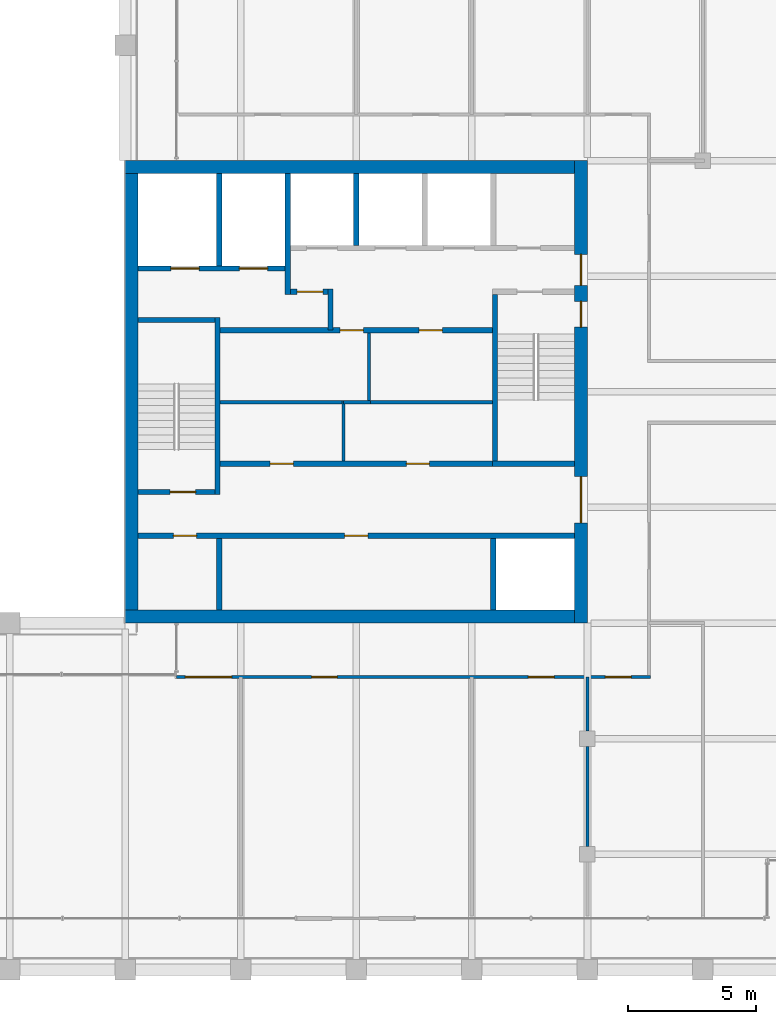
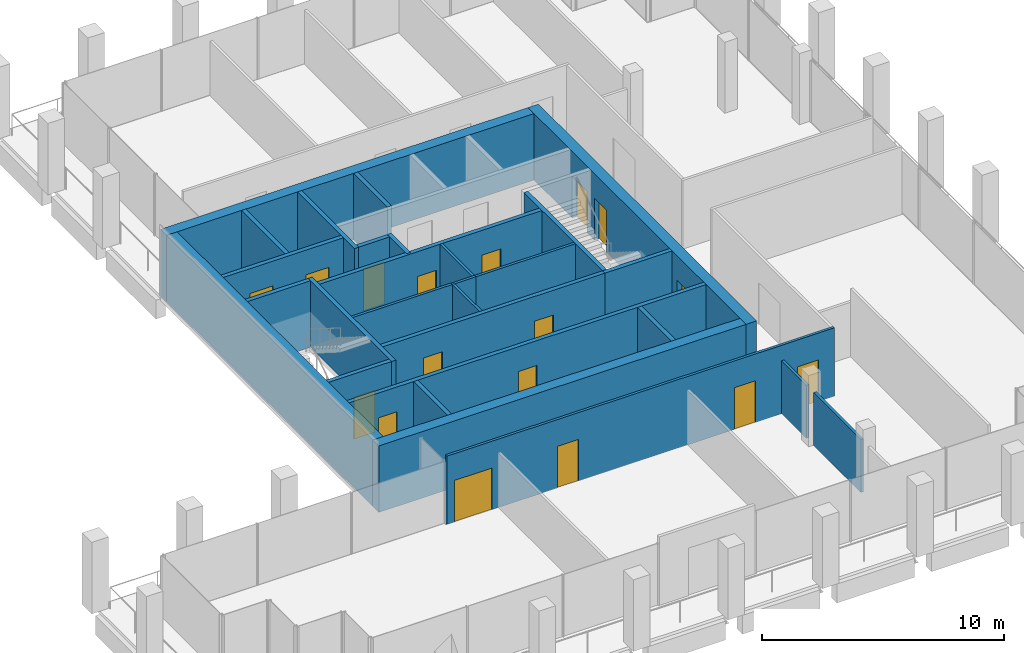
# One storey, part 28 of 30: 28 walls, 17 doors, 17 openings.
"""IFC4 building model written with IfcOpenShell, lengths in metres."""

from ifc_helpers import new_model, si_unit, direction, frame, frame_2d, origin, place, context, subcontext, project, spatial, rectangle, extrude, material, layer, layer_set, type_object, element, fill, save


model = new_model("IFC4")

# Units and contexts
model_context = context("Model", 3, precision=1e-05, world=origin(), true_north=direction((0.0, 1.0)))
body_context = subcontext(model_context, "Body", "Model", "MODEL_VIEW")
ifc_project = project(units=[si_unit("LENGTHUNIT", "METRE"), si_unit("AREAUNIT", "SQUARE_METRE"), si_unit("VOLUMEUNIT", "CUBIC_METRE"), si_unit("PLANEANGLEUNIT", "RADIAN"), si_unit("MASSUNIT", "GRAM", prefix="KILO")], contexts=[model_context])

# Site, building, storey
site_placement = place(None, origin())
site = spatial("IfcSite", under=ifc_project, at=site_placement, CompositionType="ELEMENT")
building_placement = place(site_placement, origin())
building = spatial("IfcBuilding", under=site, at=building_placement, Name="Altepetl Exchange Towers", CompositionType="ELEMENT")
storey_placement = place(building_placement, frame((0.0, 0.0, 220.800048828125)))
storey = spatial("IfcBuildingStorey", under=building, at=storey_placement, Name="L56", CompositionType="ELEMENT", Elevation=220.800048828125)

# Wall, openings, doors
ifc_material_1 = material(Name="Concrete C70/85", Category="concrete")
ifc_layer_1 = layer(ifc_material_1, 0.5)
ifc_layer_set_1 = layer_set([ifc_layer_1], Name="Concrete C70/85")
wall_type_1 = type_object("IfcWallType", Name="Core wall 500 reinforced concrete", PredefinedType="SHEAR", material=ifc_layer_set_1)
wall_1_placement = place(storey_placement, frame((58.25, 40.5, 0.0), z_axis=(0.0, 0.0, 1.0), x_axis=(0.0, 1.0, 0.0)))
wall_1 = element("IfcWall", 1, at=wall_1_placement, inside=storey, type_object=wall_type_1, Name="wall:A:L56:K-coreE", PredefinedType="SHEAR", context=body_context, shape_type="SweptSolid", body=[
    extrude(rectangle(XDim=18.0, YDim=0.5, at=frame_2d((9.0, 0.0))), origin(), (0.0, 0.0, 1.0), 3.349853515625),
])
opening_1_placement = place(wall_1_placement, frame((13.14990234375, 0.0, 0.0)))
opening_1 = element("IfcOpeningElement", 2, at=opening_1_placement, cuts=wall_1, Name="Opening L56.A60", PredefinedType="OPENING", context=body_context, shape_type="SweptSolid", body=[
    extrude(rectangle(XDim=1.199951171875, YDim=2.10009765625, at=frame_2d((0.60009765625, 1.050048828125))), frame((0.0, 0.260009765625, 0.0), z_axis=(0.0, -1.0, 0.0), x_axis=(1.0, 0.0, 0.0)), (0.0, 0.0, 1.0), 0.52001953125),
])
opening_2_placement = place(wall_1_placement, frame((3.89990234375, 0.0, 0.0)))
opening_2 = element("IfcOpeningElement", 3, at=opening_2_placement, cuts=wall_1, Name="Opening L56.A61", PredefinedType="OPENING", context=body_context, shape_type="SweptSolid", body=[
    extrude(rectangle(XDim=1.800048828125, YDim=2.10009765625, at=frame_2d((0.89990234375, 1.050048828125))), frame((0.0, 0.260009765625, 0.0), z_axis=(0.0, -1.0, 0.0), x_axis=(1.0, 0.0, 0.0)), (0.0, 0.0, 1.0), 0.52001953125),
])
opening_3_placement = place(wall_1_placement, frame((11.52490234375, 0.0, 0.0)))
opening_3 = element("IfcOpeningElement", 4, at=opening_3_placement, cuts=wall_1, Name="Opening L56.A64", PredefinedType="OPENING", context=body_context, shape_type="SweptSolid", body=[
    extrude(rectangle(XDim=1.0, YDim=2.10009765625, at=frame_2d((0.5, 1.050048828125))), frame((0.0, 0.260009765625, 0.0), z_axis=(0.0, -1.0, 0.0), x_axis=(1.0, 0.0, 0.0)), (0.0, 0.0, 1.0), 0.52001953125),
])
ifc_material_2 = material(Name="Steel and timber fire door", Category="steel")
door_type_1 = type_object("IfcDoorType", Name="Fire door 1000 x 2100 stair and lobby", OperationType="SINGLE_SWING_LEFT", PredefinedType="DOOR", material=ifc_material_2)
door_1_placement = place(opening_3_placement, origin())
door_1 = element("IfcDoor", 5, at=door_1_placement, inside=storey, type_object=door_type_1, Name="door:A:L56:K-dS2x", OperationType="SINGLE_SWING_RIGHT", OverallHeight=2.10009765625, OverallWidth=1.0, PredefinedType="DOOR", context=body_context, shape_type="SweptSolid", body=[
    extrude(rectangle(XDim=1.0, YDim=2.10009765625, at=frame_2d((0.5, 1.050048828125))), frame((0.0, 0.02490234375, 0.0), z_axis=(0.0, -1.0, 0.0), x_axis=(1.0, 0.0, 0.0)), (0.0, 0.0, 1.0), 0.050048828125),
])
fill(opening_3, door_1)
door_type_2 = type_object("IfcDoorType", Name="Fire door 1200 x 2100 lobby entry", OperationType="SINGLE_SWING_LEFT", PredefinedType="DOOR", material=ifc_material_2)
door_2_placement = place(opening_1_placement, origin())
door_2 = element("IfcDoor", 6, at=door_2_placement, inside=storey, type_object=door_type_2, Name="door:A:L56:K-dLNE", OperationType="SINGLE_SWING_RIGHT", OverallHeight=2.10009765625, OverallWidth=1.199951171875, PredefinedType="DOOR", context=body_context, shape_type="SweptSolid", body=[
    extrude(rectangle(XDim=1.199951171875, YDim=2.10009765625, at=frame_2d((0.60009765625, 1.050048828125))), frame((0.0, 0.02490234375, 0.0), z_axis=(0.0, -1.0, 0.0), x_axis=(1.0, 0.0, 0.0)), (0.0, 0.0, 1.0), 0.050048828125),
])
fill(opening_1, door_2)
door_type_3 = type_object("IfcDoorType", Name="Fire door 1800 x 2100 lobby entry", OperationType="DOUBLE_DOOR_SINGLE_SWING", PredefinedType="DOOR", material=ifc_material_2)
door_3_placement = place(opening_2_placement, origin())
door_3 = element("IfcDoor", 7, at=door_3_placement, inside=storey, type_object=door_type_3, Name="door:A:L56:K-dLSE", OperationType="DOUBLE_DOOR_SINGLE_SWING", OverallHeight=2.10009765625, OverallWidth=1.800048828125, PredefinedType="DOOR", context=body_context, shape_type="SweptSolid", body=[
    extrude(rectangle(XDim=1.800048828125, YDim=2.10009765625, at=frame_2d((0.89990234375, 1.050048828125))), frame((0.0, 0.02490234375, 0.0), z_axis=(0.0, -1.0, 0.0), x_axis=(1.0, 0.0, 0.0)), (0.0, 0.0, 1.0), 0.050048828125),
])
fill(opening_2, door_3)

# Walls
for number, where, name in (
    (8, (40.5, 58.25, 0.0), "wall:A:L56:K-coreN"),
    (9, (40.5, 40.75, 0.0), "wall:A:L56:K-coreS"),
):
    element("IfcWall", number, at=place(storey_placement, frame(where)), inside=storey, type_object=wall_type_1, Name=name, PredefinedType="SHEAR", context=body_context, shape_type="SweptSolid", body=[
        extrude(rectangle(XDim=17.5, YDim=0.5, at=frame_2d((8.75, 0.0))), origin(), (0.0, 0.0, 1.0), 3.349853515625),
    ])
ifc_layer_2 = layer(ifc_material_1, 0.5)
ifc_layer_set_2 = layer_set([ifc_layer_2], Name="Concrete C70/85")
wall_type_2 = type_object("IfcWallType", Name="Core wall 500 reinforced concrete external", PredefinedType="SHEAR", material=ifc_layer_set_2)
wall_2_placement = place(storey_placement, frame((40.75, 41.0, 0.0), z_axis=(0.0, 0.0, 1.0), x_axis=(0.0, 1.0, 0.0)))
element("IfcWall", 10, at=wall_2_placement, inside=storey, type_object=wall_type_2, Name="wall:A:L56:K-coreW", PredefinedType="SHEAR", context=body_context, shape_type="SweptSolid", body=[
    extrude(rectangle(XDim=17.0, YDim=0.5, at=frame_2d((8.5, 0.0))), origin(), (0.0, 0.0, 1.0), 3.349853515625),
])
ifc_material_3 = material(Name="Concrete blockwork", Category="masonry")
ifc_layer_3 = layer(ifc_material_3, 0.199951171875)
ifc_layer_set_3 = layer_set([ifc_layer_3], Name="Concrete blockwork")
wall_type_3 = type_object("IfcWallType", Name="Lobby wall 200 blockwork", PredefinedType="PARTITIONING", material=ifc_layer_set_3)
wall_3_placement = place(storey_placement, frame((48.5, 51.89990234375, 0.0), z_axis=(0.0, 0.0, 1.0), x_axis=(0.0, 1.0, 0.0)))
element("IfcWall", 11, at=wall_3_placement, inside=storey, type_object=wall_type_3, Name="wall:A:L56:K-ffE", PredefinedType="PARTITIONING", context=body_context, shape_type="SweptSolid", body=[
    extrude(rectangle(XDim=1.60009765625, YDim=0.199951171875, at=frame_2d((0.800048828125, 0.0))), origin(), (0.0, 0.0, 1.0), 3.349853515625),
])

# Wall, opening, door
wall_4_placement = place(storey_placement, frame((46.933349609375, 53.39990234375, 0.0)))
wall_4 = element("IfcWall", 12, at=wall_4_placement, inside=storey, type_object=wall_type_3, Name="wall:A:L56:K-ffN", PredefinedType="PARTITIONING", context=body_context, shape_type="SweptSolid", body=[
    extrude(rectangle(XDim=1.466552734375, YDim=0.199951171875, at=frame_2d((0.7333984375, 0.0))), origin(), (0.0, 0.0, 1.0), 3.349853515625),
])
opening_4_placement = place(wall_4_placement, frame((0.2666015625, 0.0, 0.0)))
opening_4 = element("IfcOpeningElement", 13, at=opening_4_placement, cuts=wall_4, Name="Opening L56.A65", PredefinedType="OPENING", context=body_context, shape_type="SweptSolid", body=[
    extrude(rectangle(XDim=1.0, YDim=2.10009765625, at=frame_2d((0.5, 1.050048828125))), frame((0.0, 0.10986328125, 0.0), z_axis=(0.0, -1.0, 0.0), x_axis=(1.0, 0.0, 0.0)), (0.0, 0.0, 1.0), 0.219970703125),
])
door_4_placement = place(opening_4_placement, frame((1.0, 0.0, 0.0), x_axis=(-1.0, 0.0, 0.0)))
door_4 = element("IfcDoor", 14, at=door_4_placement, inside=storey, type_object=door_type_1, Name="door:A:L56:K-dffN", OperationType="SINGLE_SWING_RIGHT", OverallHeight=2.10009765625, OverallWidth=1.0, PredefinedType="DOOR", context=body_context, shape_type="SweptSolid", body=[
    extrude(rectangle(XDim=1.0, YDim=2.10009765625, at=frame_2d((0.5, 1.050048828125))), frame((0.0, 0.02490234375, 0.0), z_axis=(0.0, -1.0, 0.0), x_axis=(1.0, 0.0, 0.0)), (0.0, 0.0, 1.0), 0.050048828125),
])
fill(opening_4, door_4)

# Wall, openings, doors
wall_5_placement = place(storey_placement, frame((44.199951171875, 51.89990234375, 0.0)))
wall_5 = element("IfcWall", 15, at=wall_5_placement, inside=storey, type_object=wall_type_3, Name="wall:A:L56:K-zoneN", PredefinedType="PARTITIONING", context=body_context, shape_type="SweptSolid", body=[
    extrude(rectangle(XDim=10.60009765625, YDim=0.199951171875, at=frame_2d((5.300048828125, 0.0))), origin(), (0.0, 0.0, 1.0), 3.349853515625),
])
opening_5_placement = place(wall_5_placement, frame((4.675048828125, 0.0, 0.0)))
opening_5 = element("IfcOpeningElement", 16, at=opening_5_placement, cuts=wall_5, Name="Opening L56.A71", PredefinedType="OPENING", context=body_context, shape_type="SweptSolid", body=[
    extrude(rectangle(XDim=0.89990234375, YDim=2.10009765625, at=frame_2d((0.449951171875, 1.050048828125))), frame((0.0, 0.10986328125, 0.0), z_axis=(0.0, -1.0, 0.0), x_axis=(1.0, 0.0, 0.0)), (0.0, 0.0, 1.0), 0.219970703125),
])
opening_6_placement = place(wall_5_placement, frame((7.75, 0.0, 0.0)))
opening_6 = element("IfcOpeningElement", 17, at=opening_6_placement, cuts=wall_5, Name="Opening L56.A72", PredefinedType="OPENING", context=body_context, shape_type="SweptSolid", body=[
    extrude(rectangle(XDim=0.89990234375, YDim=2.10009765625, at=frame_2d((0.449951171875, 1.050048828125))), frame((0.0, 0.10986328125, 0.0), z_axis=(0.0, -1.0, 0.0), x_axis=(1.0, 0.0, 0.0)), (0.0, 0.0, 1.0), 0.219970703125),
])
door_type_4 = type_object("IfcDoorType", Name="Fire door 900 x 2100 service room", OperationType="SINGLE_SWING_LEFT", PredefinedType="DOOR", material=ifc_material_2)
door_5_placement = place(opening_5_placement, frame((0.89990234375, 0.0, 0.0), x_axis=(-1.0, 0.0, 0.0)))
door_5 = element("IfcDoor", 18, at=door_5_placement, inside=storey, type_object=door_type_4, Name="door:A:L56:K-dz3", OperationType="SINGLE_SWING_LEFT", OverallHeight=2.10009765625, OverallWidth=0.89990234375, PredefinedType="DOOR", context=body_context, shape_type="SweptSolid", body=[
    extrude(rectangle(XDim=0.89990234375, YDim=2.10009765625, at=frame_2d((0.449951171875, 1.050048828125))), frame((0.0, 0.02490234375, 0.0), z_axis=(0.0, -1.0, 0.0), x_axis=(1.0, 0.0, 0.0)), (0.0, 0.0, 1.0), 0.050048828125),
])
fill(opening_5, door_5)
door_6_placement = place(opening_6_placement, frame((0.89990234375, 0.0, 0.0), x_axis=(-1.0, 0.0, 0.0)))
door_6 = element("IfcDoor", 19, at=door_6_placement, inside=storey, type_object=door_type_4, Name="door:A:L56:K-dz4", OperationType="SINGLE_SWING_LEFT", OverallHeight=2.10009765625, OverallWidth=0.89990234375, PredefinedType="DOOR", context=body_context, shape_type="SweptSolid", body=[
    extrude(rectangle(XDim=0.89990234375, YDim=2.10009765625, at=frame_2d((0.449951171875, 1.050048828125))), frame((0.0, 0.02490234375, 0.0), z_axis=(0.0, -1.0, 0.0), x_axis=(1.0, 0.0, 0.0)), (0.0, 0.0, 1.0), 0.050048828125),
])
fill(opening_6, door_6)

wall_6_placement = place(storey_placement, frame((44.199951171875, 46.699951171875, 0.0)))
wall_6 = element("IfcWall", 20, at=wall_6_placement, inside=storey, type_object=wall_type_3, Name="wall:A:L56:K-zoneS", PredefinedType="PARTITIONING", context=body_context, shape_type="SweptSolid", body=[
    extrude(rectangle(XDim=10.60009765625, YDim=0.199951171875, at=frame_2d((5.300048828125, 0.0))), origin(), (0.0, 0.0, 1.0), 3.349853515625),
])
opening_7_placement = place(wall_6_placement, frame((1.949951171875, 0.0, 0.0)))
opening_7 = element("IfcOpeningElement", 21, at=opening_7_placement, cuts=wall_6, Name="Opening L56.A69", PredefinedType="OPENING", context=body_context, shape_type="SweptSolid", body=[
    extrude(rectangle(XDim=0.89990234375, YDim=2.10009765625, at=frame_2d((0.449951171875, 1.050048828125))), frame((0.0, 0.10986328125, 0.0), z_axis=(0.0, -1.0, 0.0), x_axis=(1.0, 0.0, 0.0)), (0.0, 0.0, 1.0), 0.219970703125),
])
opening_8_placement = place(wall_6_placement, frame((7.25, 0.0, 0.0)))
opening_8 = element("IfcOpeningElement", 22, at=opening_8_placement, cuts=wall_6, Name="Opening L56.A70", PredefinedType="OPENING", context=body_context, shape_type="SweptSolid", body=[
    extrude(rectangle(XDim=0.89990234375, YDim=2.10009765625, at=frame_2d((0.449951171875, 1.050048828125))), frame((0.0, 0.10986328125, 0.0), z_axis=(0.0, -1.0, 0.0), x_axis=(1.0, 0.0, 0.0)), (0.0, 0.0, 1.0), 0.219970703125),
])
door_7_placement = place(opening_7_placement, origin())
door_7 = element("IfcDoor", 23, at=door_7_placement, inside=storey, type_object=door_type_4, Name="door:A:L56:K-dz1", OperationType="SINGLE_SWING_LEFT", OverallHeight=2.10009765625, OverallWidth=0.89990234375, PredefinedType="DOOR", context=body_context, shape_type="SweptSolid", body=[
    extrude(rectangle(XDim=0.89990234375, YDim=2.10009765625, at=frame_2d((0.449951171875, 1.050048828125))), frame((0.0, 0.02490234375, 0.0), z_axis=(0.0, -1.0, 0.0), x_axis=(1.0, 0.0, 0.0)), (0.0, 0.0, 1.0), 0.050048828125),
])
fill(opening_7, door_7)
door_8_placement = place(opening_8_placement, origin())
door_8 = element("IfcDoor", 24, at=door_8_placement, inside=storey, type_object=door_type_4, Name="door:A:L56:K-dz2", OperationType="SINGLE_SWING_LEFT", OverallHeight=2.10009765625, OverallWidth=0.89990234375, PredefinedType="DOOR", context=body_context, shape_type="SweptSolid", body=[
    extrude(rectangle(XDim=0.89990234375, YDim=2.10009765625, at=frame_2d((0.449951171875, 1.050048828125))), frame((0.0, 0.02490234375, 0.0), z_axis=(0.0, -1.0, 0.0), x_axis=(1.0, 0.0, 0.0)), (0.0, 0.0, 1.0), 0.050048828125),
])
fill(opening_8, door_8)

# Walls
ifc_material_4 = material(Name="Gypsum board on steel studs", Category="steel")
ifc_layer_4 = layer(ifc_material_4, 0.125)
ifc_layer_set_4 = layer_set([ifc_layer_4], Name="Gypsum board on steel studs")
wall_type_4 = type_object("IfcWallType", Name="Partition 125 gypsum board on steel studs", PredefinedType="PARTITIONING", material=ifc_layer_set_4)
wall_7_placement = place(storey_placement, frame((49.0, 46.800048828125, 0.0), z_axis=(0.0, 0.0, 1.0), x_axis=(0.0, 1.0, 0.0)))
element("IfcWall", 25, at=wall_7_placement, inside=storey, type_object=wall_type_4, Name="wall:A:L56:K-zp1", PredefinedType="PARTITIONING", context=body_context, shape_type="SweptSolid", body=[
    extrude(rectangle(XDim=2.362548828125, YDim=0.125, at=frame_2d((1.18115234375, 0.0))), origin(), (0.0, 0.0, 1.0), 3.349853515625),
])
wall_8_placement = place(storey_placement, frame((48.9375, 49.10009765625, 0.0), z_axis=(0.0, 0.0, 1.0), x_axis=(-1.0, 0.0, 0.0)))
element("IfcWall", 26, at=wall_8_placement, inside=storey, type_object=wall_type_4, Name="wall:A:L56:K-zp2", PredefinedType="PARTITIONING", context=body_context, shape_type="SweptSolid", body=[
    extrude(rectangle(XDim=4.737548828125, YDim=0.125, at=frame_2d((2.36865234375, 0.0))), origin(), (0.0, 0.0, 1.0), 3.349853515625),
])
wall_9_placement = place(storey_placement, frame((50.0625, 49.10009765625, 0.0), z_axis=(0.0, 0.0, 1.0), x_axis=(-1.0, 0.0, 0.0)))
element("IfcWall", 27, at=wall_9_placement, inside=storey, type_object=wall_type_4, Name="wall:A:L56:K-zp3", PredefinedType="PARTITIONING", context=body_context, shape_type="SweptSolid", body=[
    extrude(rectangle(XDim=1.0625, YDim=0.125, at=frame_2d((0.53125, 0.0))), origin(), (0.0, 0.0, 1.0), 3.349853515625),
])
wall_10_placement = place(storey_placement, frame((54.800048828125, 49.10009765625, 0.0), z_axis=(0.0, 0.0, 1.0), x_axis=(-1.0, 0.0, 0.0)))
element("IfcWall", 28, at=wall_10_placement, inside=storey, type_object=wall_type_4, Name="wall:A:L56:K-zp4", PredefinedType="PARTITIONING", context=body_context, shape_type="SweptSolid", body=[
    extrude(rectangle(XDim=4.800048828125, YDim=0.125, at=frame_2d((2.39990234375, 0.0))), origin(), (0.0, 0.0, 1.0), 3.349853515625),
])
wall_11_placement = place(storey_placement, frame((50.0, 49.16259765625, 0.0), z_axis=(0.0, 0.0, 1.0), x_axis=(0.0, 1.0, 0.0)))
element("IfcWall", 29, at=wall_11_placement, inside=storey, type_object=wall_type_4, Name="wall:A:L56:K-zp5", PredefinedType="PARTITIONING", context=body_context, shape_type="SweptSolid", body=[
    extrude(rectangle(XDim=2.637451171875, YDim=0.125, at=frame_2d((1.31884765625, 0.0))), origin(), (0.0, 0.0, 1.0), 3.349853515625),
])

# Wall, openings, doors
wall_12_placement = place(storey_placement, frame((42.5, 38.39990234375, 0.0)))
wall_12 = element("IfcWall", 30, at=wall_12_placement, inside=storey, type_object=wall_type_4, Name="wall:A:L56:P01", PredefinedType="PARTITIONING", context=body_context, shape_type="SweptSolid", body=[
    extrude(rectangle(XDim=18.46240234375, YDim=0.125, at=frame_2d((9.231201171875, 0.0))), origin(), (0.0, 0.0, 1.0), 3.449951171875),
])
opening_9_placement = place(wall_12_placement, frame((0.35009765625, 0.0, 0.0)))
opening_9 = element("IfcOpeningElement", 31, at=opening_9_placement, cuts=wall_12, Name="Opening L56.A01", PredefinedType="OPENING", context=body_context, shape_type="SweptSolid", body=[
    extrude(rectangle(XDim=1.800048828125, YDim=2.10009765625, at=frame_2d((0.89990234375, 1.050048828125))), frame((0.0, 0.072509765625, 0.0), z_axis=(0.0, -1.0, 0.0), x_axis=(1.0, 0.0, 0.0)), (0.0, 0.0, 1.0), 0.14501953125),
])
opening_10_placement = place(wall_12_placement, frame((5.258056640625, 0.0, 0.0)))
opening_10 = element("IfcOpeningElement", 32, at=opening_10_placement, cuts=wall_12, Name="Opening L56.A02", PredefinedType="OPENING", context=body_context, shape_type="SweptSolid", body=[
    extrude(rectangle(XDim=1.0, YDim=2.10009765625, at=frame_2d((0.5, 1.050048828125))), frame((0.0, 0.072509765625, 0.0), z_axis=(0.0, -1.0, 0.0), x_axis=(1.0, 0.0, 0.0)), (0.0, 0.0, 1.0), 0.14501953125),
])
opening_11_placement = place(wall_12_placement, frame((13.705078125, 0.0, 0.0)))
opening_11 = element("IfcOpeningElement", 33, at=opening_11_placement, cuts=wall_12, Name="Opening L56.A03", PredefinedType="OPENING", context=body_context, shape_type="SweptSolid", body=[
    extrude(rectangle(XDim=1.0, YDim=2.10009765625, at=frame_2d((0.5, 1.050048828125))), frame((0.0, 0.072509765625, 0.0), z_axis=(0.0, -1.0, 0.0), x_axis=(1.0, 0.0, 0.0)), (0.0, 0.0, 1.0), 0.14501953125),
])
opening_12_placement = place(wall_12_placement, frame((16.699951171875, 0.0, 0.0)))
opening_12 = element("IfcOpeningElement", 34, at=opening_12_placement, cuts=wall_12, Name="Opening L56.A04", PredefinedType="OPENING", context=body_context, shape_type="SweptSolid", body=[
    extrude(rectangle(XDim=1.0, YDim=2.10009765625, at=frame_2d((0.5, 1.050048828125))), frame((0.0, 0.072509765625, 0.0), z_axis=(0.0, -1.0, 0.0), x_axis=(1.0, 0.0, 0.0)), (0.0, 0.0, 1.0), 0.14501953125),
])
door_type_5 = type_object("IfcDoorType", Name="Fire door 1000 x 2100 single leaf", OperationType="SINGLE_SWING_LEFT", PredefinedType="DOOR", material=ifc_material_2)
door_9_placement = place(opening_10_placement, frame((1.0, 0.0, 0.0), x_axis=(-1.0, 0.0, 0.0)))
door_9 = element("IfcDoor", 35, at=door_9_placement, inside=storey, type_object=door_type_5, Name="door:A:L56:02", OperationType="SINGLE_SWING_RIGHT", OverallHeight=2.10009765625, OverallWidth=1.0, PredefinedType="DOOR", context=body_context, shape_type="SweptSolid", body=[
    extrude(rectangle(XDim=1.0, YDim=2.10009765625, at=frame_2d((0.5, 1.050048828125))), frame((0.0, 0.02490234375, 0.0), z_axis=(0.0, -1.0, 0.0), x_axis=(1.0, 0.0, 0.0)), (0.0, 0.0, 1.0), 0.050048828125),
])
fill(opening_10, door_9)
door_10_placement = place(opening_11_placement, frame((1.0, 0.0, 0.0), x_axis=(-1.0, 0.0, 0.0)))
door_10 = element("IfcDoor", 36, at=door_10_placement, inside=storey, type_object=door_type_5, Name="door:A:L56:03", OperationType="SINGLE_SWING_LEFT", OverallHeight=2.10009765625, OverallWidth=1.0, PredefinedType="DOOR", context=body_context, shape_type="SweptSolid", body=[
    extrude(rectangle(XDim=1.0, YDim=2.10009765625, at=frame_2d((0.5, 1.050048828125))), frame((0.0, 0.02490234375, 0.0), z_axis=(0.0, -1.0, 0.0), x_axis=(1.0, 0.0, 0.0)), (0.0, 0.0, 1.0), 0.050048828125),
])
fill(opening_11, door_10)
door_11_placement = place(opening_12_placement, frame((1.0, 0.0, 0.0), x_axis=(-1.0, 0.0, 0.0)))
door_11 = element("IfcDoor", 37, at=door_11_placement, inside=storey, type_object=door_type_5, Name="door:A:L56:04", OperationType="SINGLE_SWING_LEFT", OverallHeight=2.10009765625, OverallWidth=1.0, PredefinedType="DOOR", context=body_context, shape_type="SweptSolid", body=[
    extrude(rectangle(XDim=1.0, YDim=2.10009765625, at=frame_2d((0.5, 1.050048828125))), frame((0.0, 0.02490234375, 0.0), z_axis=(0.0, -1.0, 0.0), x_axis=(1.0, 0.0, 0.0)), (0.0, 0.0, 1.0), 0.050048828125),
])
fill(opening_12, door_11)
door_type_6 = type_object("IfcDoorType", Name="Fire door 1800 x 2100 double leaf", OperationType="DOUBLE_DOOR_SINGLE_SWING", PredefinedType="DOOR", material=ifc_material_2)
door_12_placement = place(opening_9_placement, frame((1.800048828125, 0.0, 0.0), x_axis=(-1.0, 0.0, 0.0)))
door_12 = element("IfcDoor", 38, at=door_12_placement, inside=storey, type_object=door_type_6, Name="door:A:L56:01", OperationType="DOUBLE_DOOR_SINGLE_SWING", OverallHeight=2.10009765625, OverallWidth=1.800048828125, PredefinedType="DOOR", context=body_context, shape_type="SweptSolid", body=[
    extrude(rectangle(XDim=1.800048828125, YDim=2.10009765625, at=frame_2d((0.89990234375, 1.050048828125))), frame((0.0, 0.02490234375, 0.0), z_axis=(0.0, -1.0, 0.0), x_axis=(1.0, 0.0, 0.0)), (0.0, 0.0, 1.0), 0.050048828125),
])
fill(opening_9, door_12)

# Walls
wall_13_placement = place(storey_placement, frame((58.5, 31.800048828125, 0.0), z_axis=(0.0, 0.0, 1.0), x_axis=(0.0, 1.0, 0.0)))
element("IfcWall", 39, at=wall_13_placement, inside=storey, type_object=wall_type_4, Name="wall:A:L56:P12", PredefinedType="PARTITIONING", context=body_context, shape_type="SweptSolid", body=[
    extrude(rectangle(XDim=3.89990234375, YDim=0.125, at=frame_2d((1.949951171875, 0.0))), origin(), (0.0, 0.0, 1.0), 2.676025390625),
])
wall_14_placement = place(storey_placement, frame((58.5, 36.300048828125, 0.0), z_axis=(0.0, 0.0, 1.0), x_axis=(0.0, 1.0, 0.0)))
element("IfcWall", 40, at=wall_14_placement, inside=storey, type_object=wall_type_4, Name="wall:A:L56:P13", PredefinedType="PARTITIONING", context=body_context, shape_type="SweptSolid", body=[
    extrude(rectangle(XDim=2.099853515625, YDim=0.125, at=frame_2d((1.0498046875, 0.0))), origin(), (0.0, 0.0, 1.0), 2.676025390625),
])
ifc_material_5 = material(Name="Concrete C40/50", Category="concrete")
ifc_layer_5 = layer(ifc_material_5, 0.199951171875)
ifc_layer_set_5 = layer_set([ifc_layer_5], Name="Concrete C40/50")
wall_type_5 = type_object("IfcWallType", Name="Shaft wall 200 reinforced concrete", PredefinedType="SHEAR", material=ifc_layer_set_5)
wall_15_placement = place(storey_placement, frame((44.166748046875, 58.0, 0.0), z_axis=(0.0, 0.0, 1.0), x_axis=(0.0, -1.0, 0.0)))
element("IfcWall", 41, at=wall_15_placement, inside=storey, type_object=wall_type_5, Name="wall:A:L56:K-divN1", PredefinedType="SHEAR", context=body_context, shape_type="SweptSolid", body=[
    extrude(rectangle(XDim=3.60009765625, YDim=0.199951171875, at=frame_2d((1.800048828125, 0.0))), origin(), (0.0, 0.0, 1.0), 3.349853515625),
])
wall_16_placement = place(storey_placement, frame((46.833251953125, 58.0, 0.0), z_axis=(0.0, 0.0, 1.0), x_axis=(0.0, -1.0, 0.0)))
element("IfcWall", 42, at=wall_16_placement, inside=storey, type_object=wall_type_5, Name="wall:A:L56:K-divN2", PredefinedType="SHEAR", context=body_context, shape_type="SweptSolid", body=[
    extrude(rectangle(XDim=4.699951171875, YDim=0.199951171875, at=frame_2d((2.35009765625, 0.0))), origin(), (0.0, 0.0, 1.0), 3.349853515625),
])
for number, where, z_axis, x_axis, name in (
    (43, (49.5, 58.0, 0.0), (0.0, 0.0, 1.0), (0.0, -1.0, 0.0), "wall:A:L56:K-divN3"),
    (44, (54.833251953125, 41.0, 0.0), (0.0, 0.0, 1.0), (0.0, 1.0, 0.0), "wall:A:L56:K-divS5"),
):
    element("IfcWall", number, at=place(storey_placement, frame(where, z_axis=z_axis, x_axis=x_axis)), inside=storey, type_object=wall_type_5, Name=name, PredefinedType="SHEAR", context=body_context, shape_type="SweptSolid", body=[
        extrude(rectangle(XDim=2.800048828125, YDim=0.199951171875, at=frame_2d((1.39990234375, 0.0))), origin(), (0.0, 0.0, 1.0), 3.349853515625),
    ])

# Wall, openings, doors
wall_17_placement = place(storey_placement, frame((41.0, 54.300048828125, 0.0)))
wall_17 = element("IfcWall", 45, at=wall_17_placement, inside=storey, type_object=wall_type_5, Name="wall:A:L56:K-frontNd", PredefinedType="SHEAR", context=body_context, shape_type="SweptSolid", body=[
    extrude(rectangle(XDim=5.7333984375, YDim=0.199951171875, at=frame_2d((2.86669921875, 0.0))), origin(), (0.0, 0.0, 1.0), 3.349853515625),
])
opening_13_placement = place(wall_17_placement, frame((1.283203125, 0.0, 0.0)))
opening_13 = element("IfcOpeningElement", 46, at=opening_13_placement, cuts=wall_17, Name="Opening L56.A73", PredefinedType="OPENING", context=body_context, shape_type="SweptSolid", body=[
    extrude(rectangle(XDim=1.10009765625, YDim=2.10009765625, at=frame_2d((0.550048828125, 1.050048828125))), frame((0.0, 0.10986328125, 0.0), z_axis=(0.0, -1.0, 0.0), x_axis=(1.0, 0.0, 0.0)), (0.0, 0.0, 1.0), 0.219970703125),
])
opening_14_placement = place(wall_17_placement, frame((3.949951171875, 0.0, 0.0)))
opening_14 = element("IfcOpeningElement", 47, at=opening_14_placement, cuts=wall_17, Name="Opening L56.A74", PredefinedType="OPENING", context=body_context, shape_type="SweptSolid", body=[
    extrude(rectangle(XDim=1.10009765625, YDim=2.10009765625, at=frame_2d((0.550048828125, 1.050048828125))), frame((0.0, 0.10986328125, 0.0), z_axis=(0.0, -1.0, 0.0), x_axis=(1.0, 0.0, 0.0)), (0.0, 0.0, 1.0), 0.219970703125),
])
ifc_material_6 = material(Name="Stainless steel", Category="steel")
door_type_7 = type_object("IfcDoorType", Name="Lift landing door 1100 x 2100", OperationType="SLIDING_TO_LEFT", PredefinedType="DOOR", material=ifc_material_6)
door_13_placement = place(opening_13_placement, origin())
door_13 = element("IfcDoor", 48, at=door_13_placement, inside=storey, type_object=door_type_7, Name="Landing door FFL1", OperationType="SLIDING_TO_LEFT", OverallHeight=2.10009765625, OverallWidth=1.10009765625, PredefinedType="DOOR", context=body_context, shape_type="SweptSolid", body=[
    extrude(rectangle(XDim=1.10009765625, YDim=2.10009765625, at=frame_2d((0.550048828125, 1.050048828125))), frame((0.0, 0.02490234375, 0.0), z_axis=(0.0, -1.0, 0.0), x_axis=(1.0, 0.0, 0.0)), (0.0, 0.0, 1.0), 0.050048828125),
])
fill(opening_13, door_13)
door_14_placement = place(opening_14_placement, origin())
door_14 = element("IfcDoor", 49, at=door_14_placement, inside=storey, type_object=door_type_7, Name="Landing door FFL2", OperationType="SLIDING_TO_LEFT", OverallHeight=2.10009765625, OverallWidth=1.10009765625, PredefinedType="DOOR", context=body_context, shape_type="SweptSolid", body=[
    extrude(rectangle(XDim=1.10009765625, YDim=2.10009765625, at=frame_2d((0.550048828125, 1.050048828125))), frame((0.0, 0.02490234375, 0.0), z_axis=(0.0, -1.0, 0.0), x_axis=(1.0, 0.0, 0.0)), (0.0, 0.0, 1.0), 0.050048828125),
])
fill(opening_14, door_14)

wall_18_placement = place(storey_placement, frame((41.0, 43.89990234375, 0.0)))
wall_18 = element("IfcWall", 50, at=wall_18_placement, inside=storey, type_object=wall_type_5, Name="wall:A:L56:K-frontS", PredefinedType="SHEAR", context=body_context, shape_type="SweptSolid", body=[
    extrude(rectangle(XDim=17.0, YDim=0.199951171875, at=frame_2d((8.5, 0.0))), origin(), (0.0, 0.0, 1.0), 3.349853515625),
])
opening_15_placement = place(wall_18_placement, frame((1.38330078125, 0.0, 0.0)))
opening_15 = element("IfcOpeningElement", 51, at=opening_15_placement, cuts=wall_18, Name="Opening L56.A67", PredefinedType="OPENING", context=body_context, shape_type="SweptSolid", body=[
    extrude(rectangle(XDim=0.89990234375, YDim=2.10009765625, at=frame_2d((0.449951171875, 1.050048828125))), frame((0.0, 0.10986328125, 0.0), z_axis=(0.0, -1.0, 0.0), x_axis=(1.0, 0.0, 0.0)), (0.0, 0.0, 1.0), 0.219970703125),
])
opening_16_placement = place(wall_18_placement, frame((8.050048828125, 0.0, 0.0)))
opening_16 = element("IfcOpeningElement", 52, at=opening_16_placement, cuts=wall_18, Name="Opening L56.A68", PredefinedType="OPENING", context=body_context, shape_type="SweptSolid", body=[
    extrude(rectangle(XDim=0.89990234375, YDim=2.10009765625, at=frame_2d((0.449951171875, 1.050048828125))), frame((0.0, 0.10986328125, 0.0), z_axis=(0.0, -1.0, 0.0), x_axis=(1.0, 0.0, 0.0)), (0.0, 0.0, 1.0), 0.219970703125),
])
door_15_placement = place(opening_15_placement, frame((0.89990234375, 0.0, 0.0), x_axis=(-1.0, 0.0, 0.0)))
door_15 = element("IfcDoor", 53, at=door_15_placement, inside=storey, type_object=door_type_4, Name="door:A:L56:K-dslotS0", OperationType="SINGLE_SWING_LEFT", OverallHeight=2.10009765625, OverallWidth=0.89990234375, PredefinedType="DOOR", context=body_context, shape_type="SweptSolid", body=[
    extrude(rectangle(XDim=0.89990234375, YDim=2.10009765625, at=frame_2d((0.449951171875, 1.050048828125))), frame((0.0, 0.02490234375, 0.0), z_axis=(0.0, -1.0, 0.0), x_axis=(1.0, 0.0, 0.0)), (0.0, 0.0, 1.0), 0.050048828125),
])
fill(opening_15, door_15)
door_16_placement = place(opening_16_placement, frame((0.89990234375, 0.0, 0.0), x_axis=(-1.0, 0.0, 0.0)))
door_16 = element("IfcDoor", 54, at=door_16_placement, inside=storey, type_object=door_type_4, Name="door:A:L56:K-dslotS1", OperationType="SINGLE_SWING_LEFT", OverallHeight=2.10009765625, OverallWidth=0.89990234375, PredefinedType="DOOR", context=body_context, shape_type="SweptSolid", body=[
    extrude(rectangle(XDim=0.89990234375, YDim=2.10009765625, at=frame_2d((0.449951171875, 1.050048828125))), frame((0.0, 0.02490234375, 0.0), z_axis=(0.0, -1.0, 0.0), x_axis=(1.0, 0.0, 0.0)), (0.0, 0.0, 1.0), 0.050048828125),
])
fill(opening_16, door_16)

# Walls
ifc_layer_6 = layer(ifc_material_1, 0.199951171875)
ifc_layer_set_6 = layer_set([ifc_layer_6], Name="Concrete C70/85")
wall_type_6 = type_object("IfcWallType", Name="Shear wall 200 reinforced concrete", PredefinedType="SHEAR", material=ifc_layer_set_6)
wall_19_placement = place(storey_placement, frame((44.166748046875, 41.0, 0.0), z_axis=(0.0, 0.0, 1.0), x_axis=(0.0, 1.0, 0.0)))
element("IfcWall", 55, at=wall_19_placement, inside=storey, type_object=wall_type_6, Name="wall:A:L56:K-divS1", PredefinedType="SHEAR", context=body_context, shape_type="SweptSolid", body=[
    extrude(rectangle(XDim=2.800048828125, YDim=0.199951171875, at=frame_2d((1.39990234375, 0.0))), origin(), (0.0, 0.0, 1.0), 3.349853515625),
])
ifc_layer_7 = layer(ifc_material_5, 0.199951171875)
ifc_layer_set_7 = layer_set([ifc_layer_7], Name="Concrete C40/50")
wall_type_7 = type_object("IfcWallType", Name="Stair wall 200 reinforced concrete", PredefinedType="SHEAR", material=ifc_layer_set_7)
wall_20_placement = place(storey_placement, frame((44.10009765625, 45.5, 0.0), z_axis=(0.0, 0.0, 1.0), x_axis=(0.0, 1.0, 0.0)))
element("IfcWall", 56, at=wall_20_placement, inside=storey, type_object=wall_type_7, Name="wall:A:L56:K-stS1E", PredefinedType="SHEAR", context=body_context, shape_type="SweptSolid", body=[
    extrude(rectangle(XDim=6.89990234375, YDim=0.199951171875, at=frame_2d((3.449951171875, 0.0))), origin(), (0.0, 0.0, 1.0), 3.349853515625),
])
wall_21_placement = place(storey_placement, frame((41.0, 52.300048828125, 0.0)))
element("IfcWall", 57, at=wall_21_placement, inside=storey, type_object=wall_type_7, Name="wall:A:L56:K-stS1N", PredefinedType="SHEAR", context=body_context, shape_type="SweptSolid", body=[
    extrude(rectangle(XDim=3.0, YDim=0.199951171875, at=frame_2d((1.5, 0.0))), origin(), (0.0, 0.0, 1.0), 3.349853515625),
])

# Wall, opening, door
wall_22_placement = place(storey_placement, frame((41.0, 45.60009765625, 0.0)))
wall_22 = element("IfcWall", 58, at=wall_22_placement, inside=storey, type_object=wall_type_7, Name="wall:A:L56:K-stS1S", PredefinedType="SHEAR", context=body_context, shape_type="SweptSolid", body=[
    extrude(rectangle(XDim=3.0, YDim=0.199951171875, at=frame_2d((1.5, 0.0))), origin(), (0.0, 0.0, 1.0), 3.349853515625),
])
opening_17_placement = place(wall_22_placement, frame((1.25, 0.0, 0.0)))
opening_17 = element("IfcOpeningElement", 59, at=opening_17_placement, cuts=wall_22, Name="Opening L56.A62", PredefinedType="OPENING", context=body_context, shape_type="SweptSolid", body=[
    extrude(rectangle(XDim=1.0, YDim=2.10009765625, at=frame_2d((0.5, 1.050048828125))), frame((0.0, 0.10986328125, 0.0), z_axis=(0.0, -1.0, 0.0), x_axis=(1.0, 0.0, 0.0)), (0.0, 0.0, 1.0), 0.219970703125),
])
door_17_placement = place(opening_17_placement, origin())
door_17 = element("IfcDoor", 60, at=door_17_placement, inside=storey, type_object=door_type_1, Name="door:A:L56:K-dS1in", OperationType="SINGLE_SWING_RIGHT", OverallHeight=2.10009765625, OverallWidth=1.0, PredefinedType="DOOR", context=body_context, shape_type="SweptSolid", body=[
    extrude(rectangle(XDim=1.0, YDim=2.10009765625, at=frame_2d((0.5, 1.050048828125))), frame((0.0, 0.02490234375, 0.0), z_axis=(0.0, -1.0, 0.0), x_axis=(1.0, 0.0, 0.0)), (0.0, 0.0, 1.0), 0.050048828125),
])
fill(opening_17, door_17)

# Walls
wall_23_placement = place(storey_placement, frame((54.800048828125, 46.699951171875, 0.0)))
element("IfcWall", 61, at=wall_23_placement, inside=storey, type_object=wall_type_7, Name="wall:A:L56:K-stS2S", PredefinedType="SHEAR", context=body_context, shape_type="SweptSolid", body=[
    extrude(rectangle(XDim=3.199951171875, YDim=0.199951171875, at=frame_2d((1.60009765625, 0.0))), origin(), (0.0, 0.0, 1.0), 3.349853515625),
])
wall_24_placement = place(storey_placement, frame((54.89990234375, 46.800048828125, 0.0), z_axis=(0.0, 0.0, 1.0), x_axis=(0.0, 1.0, 0.0)))
element("IfcWall", 62, at=wall_24_placement, inside=storey, type_object=wall_type_7, Name="wall:A:L56:K-stS2W", PredefinedType="SHEAR", context=body_context, shape_type="SweptSolid", body=[
    extrude(rectangle(XDim=6.5, YDim=0.199951171875, at=frame_2d((3.25, 0.0))), origin(), (0.0, 0.0, 1.0), 3.349853515625),
])

save(model, "model.ifc")
